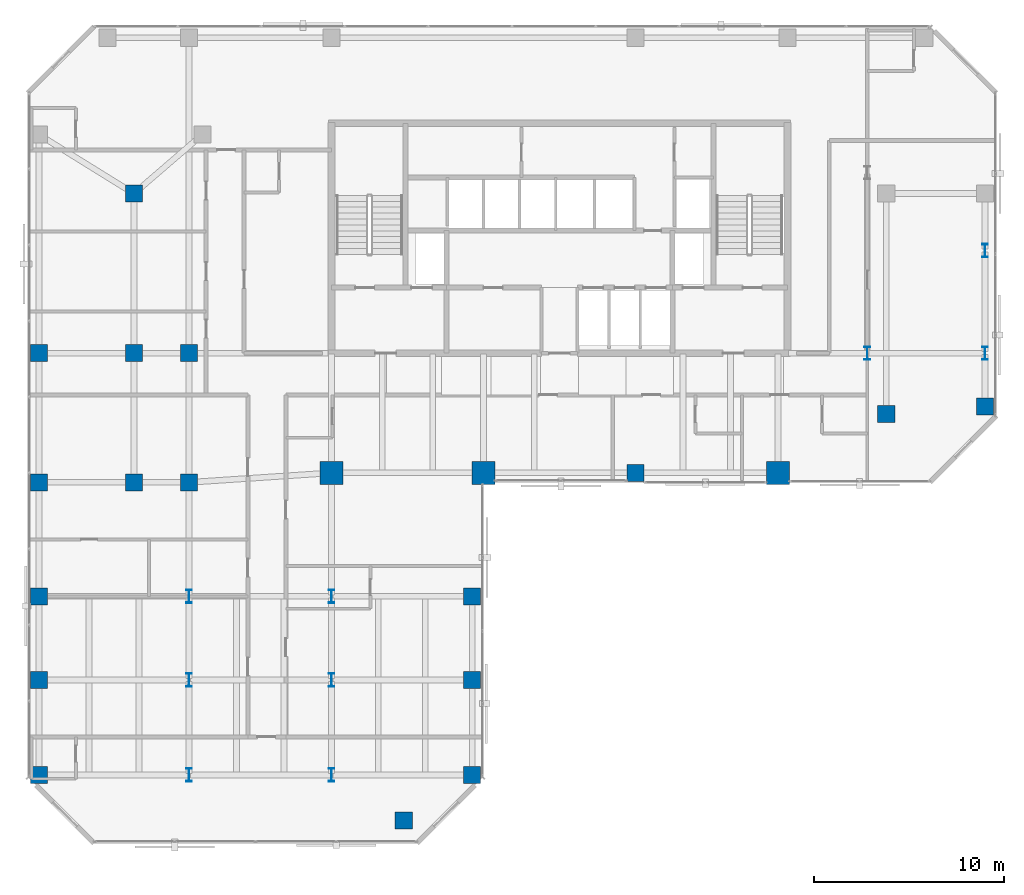
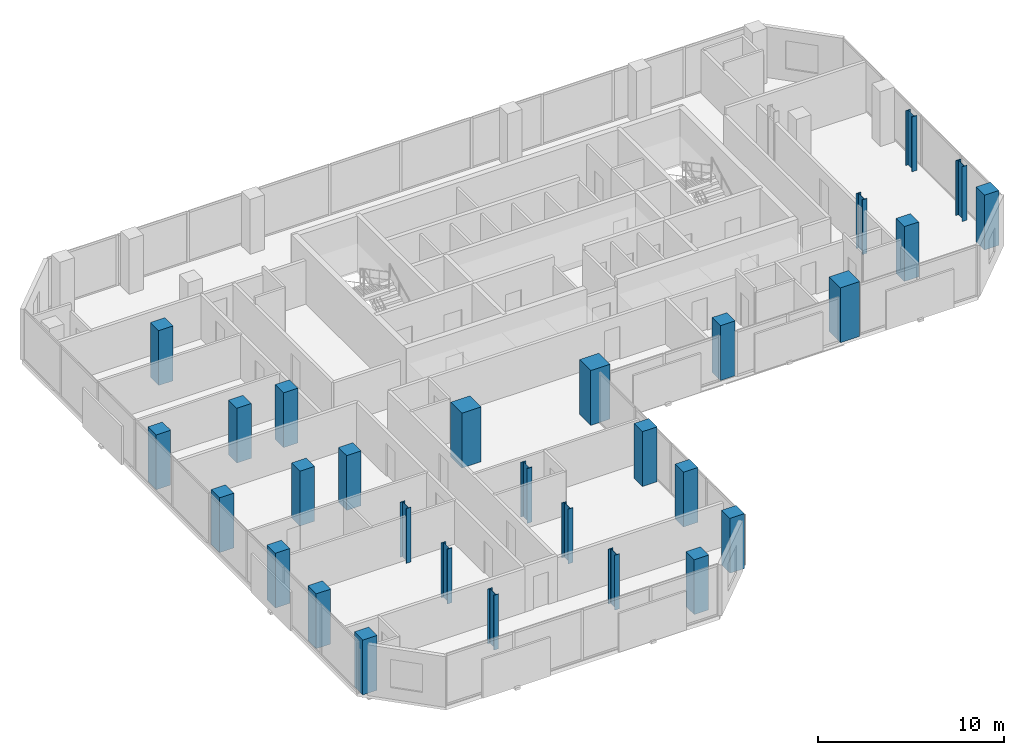
# One storey, part 1 of 34: 29 columns.
"""IFC4 building model written with IfcOpenShell, lengths in metres."""

import ifcopenshell
import ifcopenshell.guid

model = None  # the IFC model being written
_history = None  # IfcOwnerHistory: only IFC2X3 demands one
_inside = {}  # id of a spatial element -> (the spatial element, [elements in it])
_under = {}  # id of a project, library or spatial element -> (it, [spatial elements below it])
_declared = {}  # id of a project -> (the project, [libraries it declares])
_typed = {}  # id of a type object -> (the type object, [elements of that type])
_made_of = {}  # id of a material, layer set ... -> (it, [elements and type objects made of it])


def new_model(schema):
    """Start an empty IFC model of exactly this schema.

    Asked for "IFC4X3", IfcOpenShell would pick the latest addendum, in which some entities
    have other attributes; the version numbers below select the first issue.
    IFC2X3 requires an IfcOwnerHistory on every rooted entity: one is made here for all.
    """
    global model, _history
    if schema == "IFC4X3":
        model = ifcopenshell.file(schema_version=(4, 3, 0, 0))
    else:
        model = ifcopenshell.file(schema=schema)
    _inside.clear()
    _under.clear()
    _declared.clear()
    _typed.clear()
    _made_of.clear()
    _history = None
    if model.schema == "IFC2X3":
        org = make("IfcOrganization", Name="unknown")
        user = make(
            "IfcPersonAndOrganization",
            ThePerson=make("IfcPerson", FamilyName="unknown"),
            TheOrganization=org,
        )
        app = make(
            "IfcApplication",
            ApplicationDeveloper=org,
            Version="unknown",
            ApplicationFullName="unknown",
            ApplicationIdentifier="unknown",
        )
        _history = make(
            "IfcOwnerHistory",
            OwningUser=user,
            OwningApplication=app,
            ChangeAction="ADDED",
            CreationDate=0,
        )
    return model


def make(cls, **values):
    """One entity of the class cls with the attributes given. An attribute that is None is left unset."""
    return model.create_entity(
        cls, **{name: value for name, value in values.items() if value is not None}
    )


def rooted(cls, **values):
    """An entity with a GlobalId (a new one), such as an element, a storey or a relation."""
    return make(cls, GlobalId=ifcopenshell.guid.new(), OwnerHistory=_history, **values)


def si_unit(unit_type, name, prefix=None):
    """IfcSIUnit, for example si_unit("LENGTHUNIT", "METRE", prefix="MILLI")."""
    return make("IfcSIUnit", UnitType=unit_type, Prefix=prefix, Name=name)


def assignment(units):
    """IfcUnitAssignment: the units of a project."""
    return None if units is None else make("IfcUnitAssignment", Units=units)


def point(xyz):
    """IfcCartesianPoint."""
    return None if xyz is None else make("IfcCartesianPoint", Coordinates=xyz)


def direction(xyz):
    """IfcDirection."""
    return None if xyz is None else make("IfcDirection", DirectionRatios=xyz)


def frame(location, z_axis=None, x_axis=None):
    """IfcAxis2Placement3D, a coordinate frame: its origin and axes. An axis left out is left unset."""
    return make(
        "IfcAxis2Placement3D",
        Location=point(location),
        Axis=direction(z_axis),
        RefDirection=direction(x_axis),
    )


def frame_2d(location, x_axis=None):
    """IfcAxis2Placement2D, a coordinate frame in the plane: its origin and x axis."""
    return make(
        "IfcAxis2Placement2D", Location=point(location), RefDirection=direction(x_axis)
    )


def origin():
    """The frame at (0, 0, 0) with its axes left unset."""
    return frame((0.0, 0.0, 0.0))


def origin_2d():
    """The frame at (0, 0) in the plane with its x axis left unset."""
    return frame_2d((0.0, 0.0))


def place(relative_to, where):
    """IfcLocalPlacement: puts the frame where relative to a parent placement (None: the world)."""
    return make(
        "IfcLocalPlacement", PlacementRelTo=relative_to, RelativePlacement=where
    )


def context(
    kind, dimensions, precision=None, world=None, true_north=None, identifier=None
):
    """IfcGeometricRepresentationContext, for example the 3D "Model" context."""
    return make(
        "IfcGeometricRepresentationContext",
        ContextIdentifier=identifier,
        ContextType=kind,
        CoordinateSpaceDimension=dimensions,
        Precision=precision,
        WorldCoordinateSystem=world,
        TrueNorth=true_north,
    )


def subcontext(parent, identifier, kind, view, scale=None):
    """IfcGeometricRepresentationSubContext, for example "Body" below "Model"."""
    return make(
        "IfcGeometricRepresentationSubContext",
        ContextIdentifier=identifier,
        ContextType=kind,
        ParentContext=parent,
        TargetScale=scale,
        TargetView=view,
    )


def project(units=None, contexts=None):
    """IfcProject with its units and contexts."""
    return rooted(
        "IfcProject",
        Name="project",
        RepresentationContexts=contexts,
        UnitsInContext=assignment(units),
    )


def spatial(cls, under=None, at=None, **own):
    """A site, building, storey or space (cls), placed at a placement, below another one or the project."""
    s = rooted(cls, ObjectPlacement=at, **own)
    if under is not None:
        _under.setdefault(under.id(), (under, []))[1].append(s)
    return s


def profile(cls, at=None, kind="AREA", **sizes):
    """A parametric profile (cls). Its sizes go by their IFC names, for example OverallWidth=200.0."""
    return make(cls, ProfileType=kind, Position=at, **sizes)


def rectangle(**sizes):
    """IfcRectangleProfileDef."""
    return profile("IfcRectangleProfileDef", **sizes)


def i_section(**sizes):
    """IfcIShapeProfileDef."""
    return profile("IfcIShapeProfileDef", **sizes)


def extrude(swept, where, along, depth):
    """IfcExtrudedAreaSolid: the profile swept, set in the frame where, extruded along a direction by depth."""
    return make(
        "IfcExtrudedAreaSolid",
        SweptArea=swept,
        Position=where,
        ExtrudedDirection=direction(along),
        Depth=depth,
    )


def shape(context_of_items, identifier, shape_type, items):
    """IfcShapeRepresentation: the items that make up one representation, for example the "Body"."""
    return make(
        "IfcShapeRepresentation",
        ContextOfItems=context_of_items,
        RepresentationIdentifier=identifier,
        RepresentationType=shape_type,
        Items=items,
    )


def material(Name=None, Category=None):
    """IfcMaterial."""
    return make("IfcMaterial", Name=Name, Category=Category)


def material_profile(
    of_material, cross_section, Name=None, Category=None, Priority=None
):
    """IfcMaterialProfile: a cross section and its material."""
    return make(
        "IfcMaterialProfile",
        Name=Name,
        Material=of_material,
        Profile=cross_section,
        Priority=Priority,
        Category=Category,
    )


def profile_set(profiles, Name=None, composite=None):
    """IfcMaterialProfileSet."""
    return make(
        "IfcMaterialProfileSet",
        Name=Name,
        MaterialProfiles=profiles,
        CompositeProfile=composite,
    )


def made_of(thing, what):
    """Note that an element or type object is made of a material, layer set ...; save() writes the relation."""
    if what is not None:
        _made_of.setdefault(what.id(), (what, []))[1].append(thing)
    return thing


def type_object(cls, material=None, **own):
    """A type object (cls), such as IfcWallType, which elements share."""
    return made_of(rooted(cls, **own), material)


def element(
    cls,
    number,
    at=None,
    inside=None,
    cuts=None,
    type_object=None,
    material=None,
    context=None,
    identifier="Body",
    shape_type=None,
    held_by="IfcProductDefinitionShape",
    body=None,
    shapes=None,
    **own,
):
    """One element of the class cls, such as IfcWall. Its Tag is "e" and its number.

    at: its placement. inside: the storey or other place that contains it. cuts: it is an
    opening in that element (IfcRelVoidsElement). A single representation is given by context,
    identifier, shape_type and body (its items); several are given by shapes. held_by: the class
    of the entity that holds the representations. save() writes the other relations.
    """
    e = rooted(cls, Tag="e%d" % number, ObjectPlacement=at, **own)
    if body is not None:
        shapes = [shape(context, identifier, shape_type, body)]
    if shapes is not None:
        e.Representation = make(held_by, Representations=shapes)
    if inside is not None:
        _inside.setdefault(inside.id(), (inside, []))[1].append(e)
    if cuts is not None:
        rooted(
            "IfcRelVoidsElement", RelatingBuildingElement=cuts, RelatedOpeningElement=e
        )
    if type_object is not None:
        _typed.setdefault(type_object.id(), (type_object, []))[1].append(e)
    return made_of(e, material)


def aggregate(whole, parts):
    """IfcRelAggregates: a whole, such as a stair, and the parts it consists of."""
    return rooted("IfcRelAggregates", RelatingObject=whole, RelatedObjects=parts)


def save(model, path):
    """Write the relations noted so far, then the file.

    IfcRelAggregates (storeys below a building ...), IfcRelContainedInSpatialStructure (elements
    in a storey), IfcRelDefinesByType, IfcRelAssociatesMaterial and IfcRelDeclares: one each for
    every whole, place, type object, material and project.
    """
    for whole, parts in _under.values():
        aggregate(whole, parts)
    for where, things in _inside.values():
        rooted(
            "IfcRelContainedInSpatialStructure",
            RelatedElements=things,
            RelatingStructure=where,
        )
    for kind, things in _typed.values():
        rooted("IfcRelDefinesByType", RelatedObjects=things, RelatingType=kind)
    for what, things in _made_of.values():
        rooted("IfcRelAssociatesMaterial", RelatedObjects=things, RelatingMaterial=what)
    for by, libraries in _declared.values():
        rooted("IfcRelDeclares", RelatingContext=by, RelatedDefinitions=libraries)
    model.write(path)


model = new_model("IFC4")

# Units and contexts
model_context = context("Model", 3, precision=1e-05, world=origin(), true_north=direction((0.0, 1.0)))
body_context = subcontext(model_context, "Body", "Model", "MODEL_VIEW")
ifc_project = project(units=[si_unit("LENGTHUNIT", "METRE"), si_unit("AREAUNIT", "SQUARE_METRE"), si_unit("VOLUMEUNIT", "CUBIC_METRE"), si_unit("PLANEANGLEUNIT", "RADIAN"), si_unit("MASSUNIT", "GRAM", prefix="KILO")], contexts=[model_context])

# Site, building, storey
site_placement = place(None, origin())
site = spatial("IfcSite", under=ifc_project, at=site_placement, CompositionType="ELEMENT")
building_placement = place(site_placement, origin())
building = spatial("IfcBuilding", under=site, at=building_placement, Name="Catumbela Crestline Tower", CompositionType="ELEMENT")
storey_placement = place(building_placement, frame((0.0, 0.0, 115.2)))
storey = spatial("IfcBuildingStorey", under=building, at=storey_placement, Name="L29", CompositionType="ELEMENT", Elevation=115.2)

# Columns
ifc_material_1 = material(Name="Concrete C50/60", Category="concrete")
ifc_material_profile_1 = material_profile(ifc_material_1, rectangle(XDim=1.2, YDim=1.2, at=origin_2d()), Name="RC 1200x1200")
ifc_profile_set_1 = profile_set([ifc_material_profile_1], Name="Concrete C50/60")
column_type_1 = type_object("IfcColumnType", Name="C-RC1200-C50", PredefinedType="COLUMN", material=ifc_profile_set_1)
for number, where, z_axis, x_axis, name in (
    (1, (16.0, 24.5, 0.0), (0.0, 0.0, 1.0), (1.0, 0.0, 0.0), "L29 Column C-16-24 (RC 1200x1200)"),
    (2, (24.0, 24.5, 0.0), (0.0, 0.0, 1.0), (1.0, 0.0, 0.0), "L29 Column C-24-24 (RC 1200x1200)"),
    (3, (39.5, 24.5, 0.0), (0.0, 0.0, 1.0), (1.0, 0.0, 0.0), "L29 Column C-40-24 (RC 1200x1200)"),
):
    element("IfcColumn", number, at=place(storey_placement, frame(where, z_axis=z_axis, x_axis=x_axis)), inside=storey, type_object=column_type_1, Name=name, PredefinedType="COLUMN", context=body_context, shape_type="SweptSolid", body=[
        extrude(rectangle(XDim=1.2, YDim=1.2, at=origin_2d()), origin(), (0.0, 0.0, 1.0), 3.6),
    ])
ifc_material_profile_2 = material_profile(ifc_material_1, rectangle(XDim=0.9, YDim=0.9, at=origin_2d()), Name="RC 900x900")
ifc_profile_set_2 = profile_set([ifc_material_profile_2], Name="Concrete C50/60")
column_type_2 = type_object("IfcColumnType", Name="C-RC900-C50", PredefinedType="COLUMN", material=ifc_profile_set_2)
for number, where, z_axis, x_axis, name in (
    (4, (8.5, 24.0, 0.0), (0.0, 0.0, 1.0), (1.0, 0.0, 0.0), "L29 Column C-08-24 (RC 900x900)"),
    (5, (32.0, 24.5, 0.0), (0.0, 0.0, 1.0), (1.0, 0.0, 0.0), "L29 Column C-32-24 (RC 900x900)"),
    (6, (5.6, 24.0, 0.0), (0.0, 0.0, 1.0), (1.0, 0.0, 0.0), "L29 Column C-05-24 (RC 900x900)"),
    (7, (5.6, 30.8, 0.0), (0.0, 0.0, 1.0), (1.0, 0.0, 0.0), "L29 Column C-05-31 (RC 900x900)"),
    (8, (5.6, 39.2, 0.0), (0.0, 0.0, 1.0), (1.0, 0.0, 0.0), "L29 Column C-05-43 (RC 900x900)"),
    (9, (8.5, 30.8, 0.0), (0.0, 0.0, 1.0), (1.0, 0.0, 0.0), "L29 Column C-08-31 (RC 900x900)"),
    (10, (45.2, 27.6, 0.0), (0.0, 0.0, 1.0), (1.0, 0.0, 0.0), "L29 Column C-46-24 (RC 900x900)"),
    (11, (0.6, 24.0, 0.0), (0.0, 0.0, 1.0), (1.0, 0.0, 0.0), "L29 Column C-00-24 (RC 900x900)"),
    (12, (0.6, 30.8, 0.0), (0.0, 0.0, 1.0), (1.0, 0.0, 0.0), "L29 Column C-00-31 (RC 900x900)"),
    (13, (50.4, 28.0, 0.0), (0.0, 0.0, 1.0), (1.0, 0.0, 0.0), "L29 Column C-51-24 (RC 900x900)"),
    (14, (0.6, 8.6, 0.0), (0.0, 0.0, 1.0), (1.0, 0.0, 0.0), "L29 Column C-00-05 (RC 900x900)"),
    (15, (0.6, 13.6, 0.0), (0.0, 0.0, 1.0), (1.0, 0.0, 0.0), "L29 Column C-00-10 (RC 900x900)"),
    (16, (0.6, 18.0, 0.0), (0.0, 0.0, 1.0), (1.0, 0.0, 0.0), "L29 Column C-00-16 (RC 900x900)"),
    (17, (19.8, 6.2, 0.0), (0.0, 0.0, 1.0), (1.0, 0.0, 0.0), "L29 Column C-24-05 (RC 900x900)"),
    (18, (23.4, 8.6, 0.0), (0.0, 0.0, 1.0), (1.0, 0.0, 0.0), "L29 Column C-23-08 (RC 900x900)"),
    (19, (23.4, 13.6, 0.0), (0.0, 0.0, 1.0), (1.0, 0.0, 0.0), "L29 Column C-24-10 (RC 900x900)"),
    (20, (23.4, 18.0, 0.0), (0.0, 0.0, 1.0), (1.0, 0.0, 0.0), "L29 Column C-24-16 (RC 900x900)"),
):
    element("IfcColumn", number, at=place(storey_placement, frame(where, z_axis=z_axis, x_axis=x_axis)), inside=storey, type_object=column_type_2, Name=name, PredefinedType="COLUMN", context=body_context, shape_type="SweptSolid", body=[
        extrude(rectangle(XDim=0.9, YDim=0.9, at=origin_2d()), origin(), (0.0, 0.0, 1.0), 3.6),
    ])
ifc_material_2 = material(Name="Structural steel S460M", Category="steel")
ifc_material_profile_3 = material_profile(ifc_material_2, i_section(OverallWidth=0.3, OverallDepth=0.7, WebThickness=0.017, FlangeThickness=0.032, FilletRadius=0.027, at=origin_2d()), Name="HEB 700")
ifc_profile_set_3 = profile_set([ifc_material_profile_3], Name="Structural steel S460M")
column_type_3 = type_object("IfcColumnType", Name="C-ST-HEB700", PredefinedType="COLUMN", material=ifc_profile_set_3)
for number, where, z_axis, x_axis, name in (
    (21, (8.5, 8.6, 0.0), (0.0, 0.0, 1.0), (1.0, 0.0, 0.0), "L29 Column CT-05-05 (HEB 700)"),
    (22, (16.0, 8.6, 0.0), (0.0, 0.0, 1.0), (1.0, 0.0, 0.0), "L29 Column CT-14-05 (HEB 700)"),
    (23, (8.5, 13.6, 0.0), (0.0, 0.0, 1.0), (1.0, 0.0, 0.0), "L29 Column CT-05-10 (HEB 700)"),
    (24, (16.0, 13.6, 0.0), (0.0, 0.0, 1.0), (1.0, 0.0, 0.0), "L29 Column CT-14-10 (HEB 700)"),
    (25, (8.5, 18.0, 0.0), (0.0, 0.0, 1.0), (1.0, 0.0, 0.0), "L29 Column CT-05-16 (HEB 700)"),
    (26, (16.0, 18.0, 0.0), (0.0, 0.0, 1.0), (1.0, 0.0, 0.0), "L29 Column CT-14-16 (HEB 700)"),
    (27, (44.2, 30.8, 0.0), (0.0, 0.0, 1.0), (1.0, 0.0, 0.0), "L29 Column CT-46-31 (HEB 700)"),
    (28, (50.4, 30.8, 0.0), (0.0, 0.0, 1.0), (1.0, 0.0, 0.0), "L29 Column CT-51-31 (HEB 700)"),
    (29, (50.4, 36.2, 0.0), (0.0, 0.0, 1.0), (1.0, 0.0, 0.0), "L29 Column CT-51-37 (HEB 700)"),
):
    element("IfcColumn", number, at=place(storey_placement, frame(where, z_axis=z_axis, x_axis=x_axis)), inside=storey, type_object=column_type_3, Name=name, PredefinedType="COLUMN", context=body_context, shape_type="SweptSolid", body=[
        extrude(i_section(OverallWidth=0.3, OverallDepth=0.7, WebThickness=0.017, FlangeThickness=0.032, FilletRadius=0.027, at=origin_2d()), origin(), (0.0, 0.0, 1.0), 3.6),
    ])

save(model, "model.ifc")
